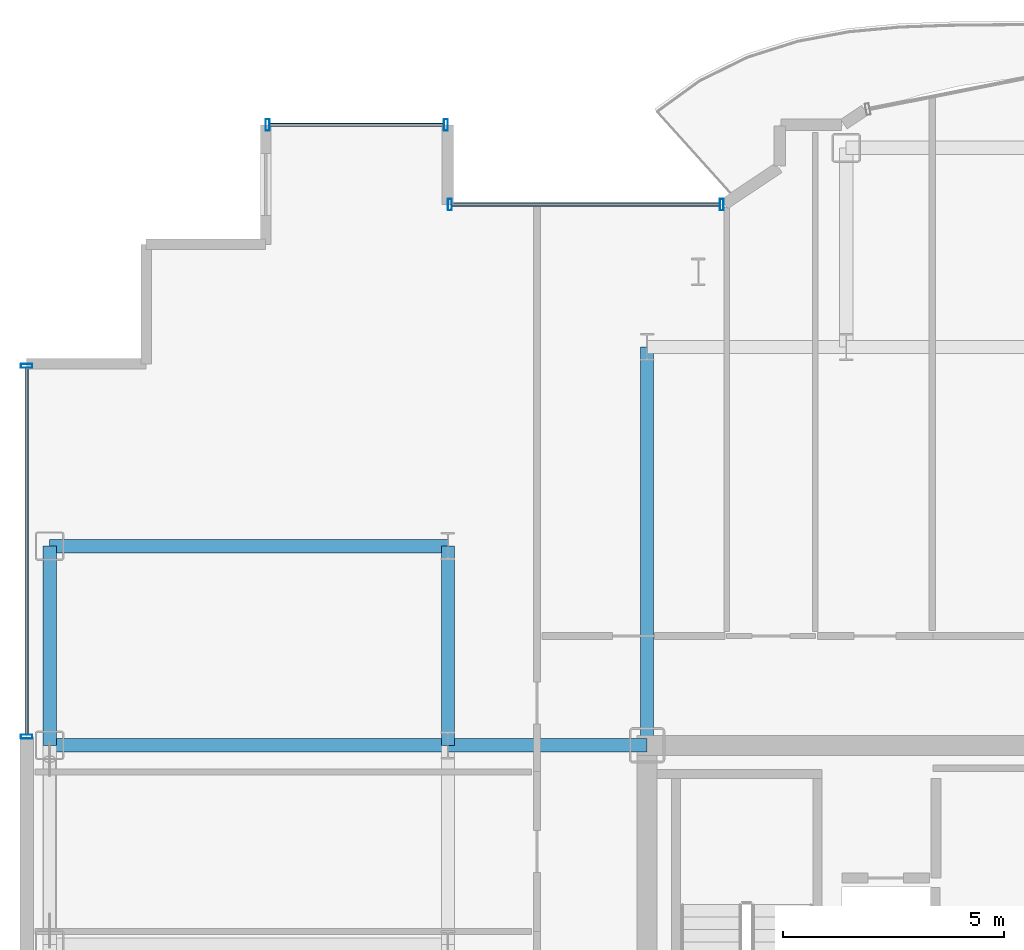
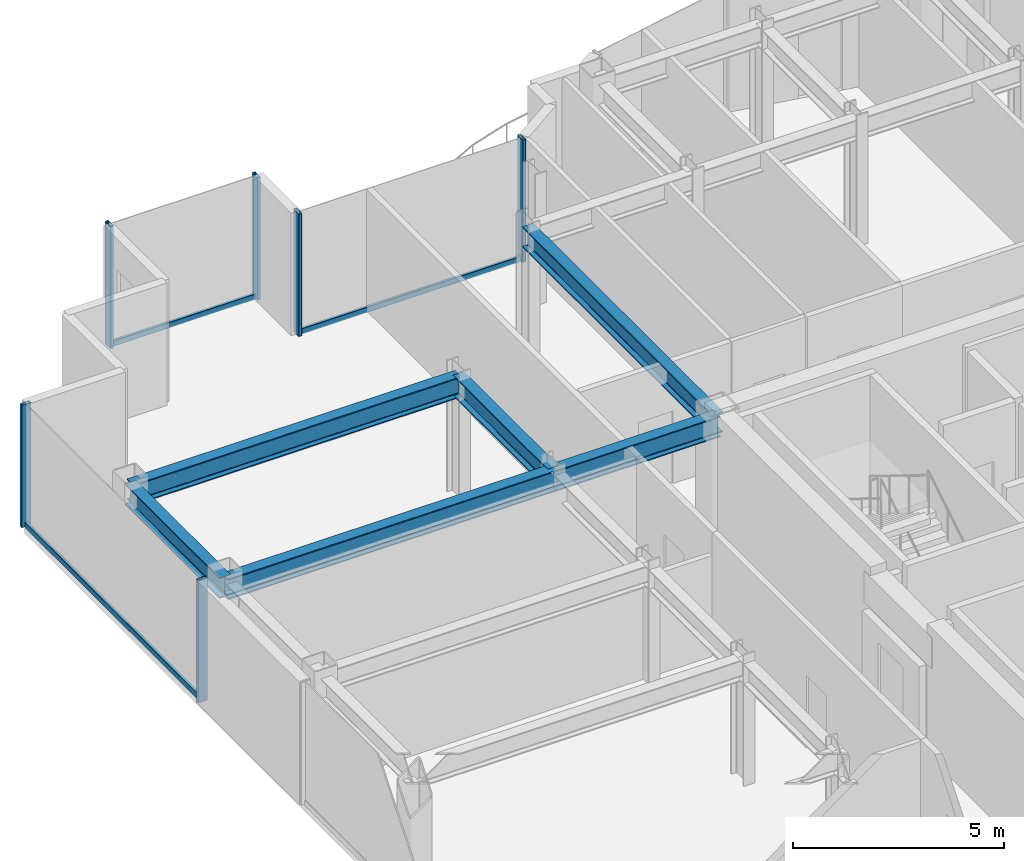
# One storey, part 7 of 16: 9 members, 6 beams, 3 elements without a shape of their own.
"""IFC4 building model written with IfcOpenShell, lengths in metres."""

from ifc_helpers import new_model, si_unit, direction, frame, origin, origin_2d, place, context, subcontext, project, spatial, hollow_rectangle, i_section, extrude, source, transform, mapped, material, layer, layer_set, material_profile, profile_set, type_object, element, aggregate, save


model = new_model("IFC4")

# Units and contexts
model_context = context("Model", 3, precision=1e-05, world=origin(), true_north=direction((0.0, 1.0)))
body_context = subcontext(model_context, "Body", "Model", "MODEL_VIEW")
ifc_project = project(units=[si_unit("LENGTHUNIT", "METRE"), si_unit("AREAUNIT", "SQUARE_METRE"), si_unit("VOLUMEUNIT", "CUBIC_METRE"), si_unit("PLANEANGLEUNIT", "RADIAN"), si_unit("MASSUNIT", "GRAM", prefix="KILO")], contexts=[model_context])

# Site, building, storey
site_placement = place(None, origin())
site = spatial("IfcSite", under=ifc_project, at=site_placement, CompositionType="ELEMENT")
building_placement = place(site_placement, origin())
building = spatial("IfcBuilding", under=site, at=building_placement, Name="Nefas-Gora Pilgrimage Tower", CompositionType="ELEMENT")
storey_placement = place(building_placement, frame((0.0, 0.0, 276.0)))
storey = spatial("IfcBuildingStorey", under=building, at=storey_placement, Name="L69", CompositionType="ELEMENT", Elevation=276.0)

# Beams
ifc_material_1 = material(Name="Steel S355", Category="steel")
ifc_material_profile_1 = material_profile(ifc_material_1, i_section(OverallWidth=0.300048828125, OverallDepth=0.60009765625, WebThickness=0.015380859375, FlangeThickness=0.030029296875, FilletRadius=0.027099609375, at=origin_2d()), Name="HEB 600")
ifc_profile_set_1 = profile_set([ifc_material_profile_1], Name="Steel S355")
beam_type_1 = type_object("IfcBeamType", Name="BM-SPN-HEB450", PredefinedType="SPANDREL", material=ifc_profile_set_1)
shared_shape_1 = source(origin(), body_context, "Body", "SweptSolid", [
    extrude(i_section(OverallWidth=0.300048828125, OverallDepth=0.60009765625, WebThickness=0.015380859375, FlangeThickness=0.030029296875, FilletRadius=0.027099609375, at=origin_2d()), origin(), (0.0, 0.0, 1.0), 4.5),
])
beam_placement = place(storey_placement, frame((-24.75, 9.0, 3.25), z_axis=(0.0, 1.0, 0.0), x_axis=(-1.0, 0.0, 0.0)))
element("IfcBeam", 1, at=beam_placement, inside=storey, type_object=beam_type_1, Name="L69 SP-03 beam", PredefinedType="SPANDREL", context=body_context, shape_type="MappedRepresentation", body=[
    mapped(shared_shape_1, transform((0.0, 0.0, 0.0), x_axis=(1.0, 0.0, 0.0), y_axis=(0.0, 1.0, 0.0), z_axis=(0.0, 0.0, 1.0), scale=1.0)),
])
ifc_material_profile_2 = material_profile(ifc_material_1, i_section(OverallWidth=0.300048828125, OverallDepth=0.60009765625, WebThickness=0.015380859375, FlangeThickness=0.030029296875, FilletRadius=0.027099609375, at=origin_2d()), Name="HEB 600")
ifc_profile_set_2 = profile_set([ifc_material_profile_2], Name="Steel S355")
beam_type_2 = type_object("IfcBeamType", Name="BM-GIR-HEB600", PredefinedType="BEAM", material=ifc_profile_set_2)
shared_shape_2 = source(origin(), body_context, "Body", "SweptSolid", [
    extrude(i_section(OverallWidth=0.300048828125, OverallDepth=0.60009765625, WebThickness=0.015380859375, FlangeThickness=0.030029296875, FilletRadius=0.027099609375, at=origin_2d()), origin(), (0.0, 0.0, 1.0), 9.0),
])
for number, where, z_axis, x_axis, name in (
    (2, (-24.75, 9.0, 3.25), (1.0, 0.0, 0.0), (0.0, 1.0, 0.0), "L69 G-04 beam"),
    (3, (-24.75, 13.5, 3.25), (1.0, 0.0, 0.0), (0.0, 1.0, 0.0), "L69 G-04 beam"),
    (4, (-11.25, 9.0, 3.25), (0.0, 1.0, 0.0), (-1.0, 0.0, 0.0), "L69 G-04 beam"),
):
    element("IfcBeam", number, at=place(storey_placement, frame(where, z_axis=z_axis, x_axis=x_axis)), inside=storey, type_object=beam_type_2, Name=name, PredefinedType="BEAM", context=body_context, shape_type="MappedRepresentation", body=[
        mapped(shared_shape_2, transform((0.0, 0.0, 0.0), x_axis=(1.0, 0.0, 0.0), y_axis=(0.0, 1.0, 0.0), z_axis=(0.0, 0.0, 1.0), scale=1.0)),
    ])
shared_shape_3 = source(origin(), body_context, "Body", "SweptSolid", [
    extrude(i_section(OverallWidth=0.300048828125, OverallDepth=0.60009765625, WebThickness=0.015380859375, FlangeThickness=0.030029296875, FilletRadius=0.027099609375, at=origin_2d()), origin(), (0.0, 0.0, 1.0), 4.5),
])
for number, where, z_axis, x_axis, name in (
    (5, (-15.75, 9.0, 3.25), (0.0, 1.0, 0.0), (-1.0, 0.0, 0.0), "L69 G-04 beam"),
    (6, (-15.75, 9.0, 3.25), (1.0, 0.0, 0.0), (0.0, 1.0, 0.0), "L69 G-04 beam"),
):
    element("IfcBeam", number, at=place(storey_placement, frame(where, z_axis=z_axis, x_axis=x_axis)), inside=storey, type_object=beam_type_2, Name=name, PredefinedType="BEAM", context=body_context, shape_type="MappedRepresentation", body=[
        mapped(shared_shape_3, transform((0.0, 0.0, 0.0), x_axis=(1.0, 0.0, 0.0), y_axis=(0.0, 1.0, 0.0), z_axis=(0.0, 0.0, 1.0), scale=1.0)),
    ])

# Curtain wall, members
ifc_material_2 = material(Name="Dark ceramic-fritted solar-control aluminium-glass curtain wall", Category="aluminium")
ifc_layer_1 = layer(ifc_material_2, 0.219970703125)
ifc_layer_set_1 = layer_set([ifc_layer_1], Name="Dark ceramic-fritted solar-control aluminium-glass curtain wall")
curtain_wall_type_1 = type_object("IfcCurtainWallType", Name="CW-SYS-5", PredefinedType="NOTDEFINED", material=ifc_layer_set_1)
curtain_wall_1_placement = place(storey_placement, origin())
curtain_wall_1 = element("IfcCurtainWall", 7, at=curtain_wall_1_placement, inside=storey, type_object=curtain_wall_type_1, Name="L69 Unitised Curtain Wall CW5", PredefinedType="NOTDEFINED")
ifc_material_3 = material(Name="Anodised architectural aluminium", Category="aluminium")
ifc_material_profile_3 = material_profile(ifc_material_3, hollow_rectangle(XDim=0.090087890625, YDim=0.260009765625, WallThickness=0.006103515625, InnerFilletRadius=0.006103515625, OuterFilletRadius=0.011962890625, at=origin_2d()), Name="ALU MULLION 90x260")
ifc_profile_set_3 = profile_set([ifc_material_profile_3], Name="Anodised architectural aluminium")
member_type_1 = type_object("IfcMemberType", Name="CWM-MUL-5", PredefinedType="MULLION", material=ifc_profile_set_3)
shared_shape_4 = source(origin(), body_context, "Body", "SweptSolid", [
    extrude(hollow_rectangle(XDim=0.090087890625, YDim=0.260009765625, WallThickness=0.006103515625, InnerFilletRadius=0.006103515625, OuterFilletRadius=0.011962890625, at=origin_2d()), origin(), (0.0, 0.0, 1.0), 3.550048828125),
])
member_1_placement = place(storey_placement, frame((-9.56298828125, 21.219970703125, 0.0), z_axis=(0.0, 0.0, 1.0), x_axis=(-1.0, 0.0, 0.0)))
member_1 = element("IfcMember", 8, at=member_1_placement, type_object=member_type_1, Name="CW5 Mullion 1", PredefinedType="MULLION", context=body_context, shape_type="MappedRepresentation", body=[
    mapped(shared_shape_4, transform((0.0, 0.0, 0.0), x_axis=(1.0, 0.0, 0.0), y_axis=(0.0, 1.0, 0.0), z_axis=(0.0, 0.0, 1.0), scale=1.0)),
])
member_2_placement = place(storey_placement, frame((-15.705078125, 21.219970703125, 0.0), z_axis=(0.0, 0.0, 1.0), x_axis=(-1.0, 0.0, 0.0)))
member_2 = element("IfcMember", 9, at=member_2_placement, type_object=member_type_1, Name="CW5 Mullion 2", PredefinedType="MULLION", context=body_context, shape_type="MappedRepresentation", body=[
    mapped(shared_shape_4, transform((0.0, 0.0, 0.0), x_axis=(1.0, 0.0, 0.0), y_axis=(0.0, 1.0, 0.0), z_axis=(0.0, 0.0, 1.0), scale=1.0)),
])
ifc_material_profile_4 = material_profile(ifc_material_3, hollow_rectangle(XDim=0.080078125, YDim=0.159912109375, WallThickness=0.00439453125, InnerFilletRadius=0.00439453125, OuterFilletRadius=0.009033203125, at=origin_2d()), Name="ALU TRANSOM 80x160")
ifc_profile_set_4 = profile_set([ifc_material_profile_4], Name="Anodised architectural aluminium")
member_type_2 = type_object("IfcMemberType", Name="CWM-TRN-5", PredefinedType="USERDEFINED", material=ifc_profile_set_4)
shared_shape_5 = source(origin(), body_context, "Body", "SweptSolid", [
    extrude(hollow_rectangle(XDim=0.080078125, YDim=0.159912109375, WallThickness=0.00439453125, InnerFilletRadius=0.00439453125, OuterFilletRadius=0.009033203125, at=origin_2d()), origin(), (0.0, 0.0, 1.0), 6.052001953125),
])
member_3_placement = place(storey_placement, frame((-9.60791015625, 21.219970703125, 0.050048828125), z_axis=(-1.0, 0.0, 0.0), x_axis=(0.0, -1.0, 0.0)))
member_3 = element("IfcMember", 10, at=member_3_placement, type_object=member_type_2, Name="CW5 Spandrel Transom", ObjectType="TRANSOM", PredefinedType="USERDEFINED", context=body_context, shape_type="MappedRepresentation", body=[
    mapped(shared_shape_5, transform((0.0, 0.0, 0.0), x_axis=(1.0, 0.0, 0.0), y_axis=(0.0, 1.0, 0.0), z_axis=(0.0, 0.0, 1.0), scale=1.0)),
])
aggregate(curtain_wall_1, [member_1, member_2, member_3])

# Curtain wall, member
ifc_layer_2 = layer(ifc_material_2, 0.219970703125)
ifc_layer_set_2 = layer_set([ifc_layer_2], Name="Dark ceramic-fritted solar-control aluminium-glass curtain wall")
curtain_wall_type_2 = type_object("IfcCurtainWallType", Name="CW-SYS-4", PredefinedType="NOTDEFINED", material=ifc_layer_set_2)
curtain_wall_2_placement = place(storey_placement, origin())
curtain_wall_2 = element("IfcCurtainWall", 11, at=curtain_wall_2_placement, inside=storey, type_object=curtain_wall_type_2, Name="L69 Unitised Curtain Wall CW4", PredefinedType="NOTDEFINED")
ifc_material_profile_5 = material_profile(ifc_material_3, hollow_rectangle(XDim=0.080078125, YDim=0.159912109375, WallThickness=0.00439453125, InnerFilletRadius=0.00439453125, OuterFilletRadius=0.009033203125, at=origin_2d()), Name="ALU TRANSOM 80x160")
ifc_profile_set_5 = profile_set([ifc_material_profile_5], Name="Anodised architectural aluminium")
member_type_3 = type_object("IfcMemberType", Name="CWM-TRN-4", PredefinedType="USERDEFINED", material=ifc_profile_set_5)
shared_shape_6 = source(origin(), body_context, "Body", "SweptSolid", [
    extrude(hollow_rectangle(XDim=0.080078125, YDim=0.159912109375, WallThickness=0.00439453125, InnerFilletRadius=0.00439453125, OuterFilletRadius=0.009033203125, at=origin_2d()), origin(), (0.0, 0.0, 1.0), 8.2900390625),
])
member_4_placement = place(storey_placement, frame((-25.27001953125, 17.530029296875, 0.050048828125), z_axis=(0.0, -1.0, 0.0), x_axis=(1.0, 0.0, 0.0)))
member_4 = element("IfcMember", 12, at=member_4_placement, type_object=member_type_3, Name="CW4 Spandrel Transom", ObjectType="TRANSOM", PredefinedType="USERDEFINED", context=body_context, shape_type="MappedRepresentation", body=[
    mapped(shared_shape_6, transform((0.0, 0.0, 0.0), x_axis=(1.0, 0.0, 0.0), y_axis=(0.0, 1.0, 0.0), z_axis=(0.0, 0.0, 1.0), scale=1.0)),
])

# Curtain wall, members
curtain_wall_3_placement = place(storey_placement, origin())
curtain_wall_3 = element("IfcCurtainWall", 13, at=curtain_wall_3_placement, inside=storey, type_object=curtain_wall_type_2, Name="L69 Unitised Curtain Wall CW4", PredefinedType="NOTDEFINED")
shared_shape_7 = source(origin(), body_context, "Body", "SweptSolid", [
    extrude(hollow_rectangle(XDim=0.080078125, YDim=0.159912109375, WallThickness=0.00439453125, InnerFilletRadius=0.00439453125, OuterFilletRadius=0.009033203125, at=origin_2d()), origin(), (0.0, 0.0, 1.0), 3.93994140625),
])
member_5_placement = place(storey_placement, frame((-15.840087890625, 23.02001953125, 0.050048828125), z_axis=(-1.0, 0.0, 0.0), x_axis=(0.0, -1.0, 0.0)))
member_5 = element("IfcMember", 14, at=member_5_placement, type_object=member_type_3, Name="CW4 Spandrel Transom", ObjectType="TRANSOM", PredefinedType="USERDEFINED", context=body_context, shape_type="MappedRepresentation", body=[
    mapped(shared_shape_7, transform((0.0, 0.0, 0.0), x_axis=(1.0, 0.0, 0.0), y_axis=(0.0, 1.0, 0.0), z_axis=(0.0, 0.0, 1.0), scale=1.0)),
])
ifc_material_profile_6 = material_profile(ifc_material_3, hollow_rectangle(XDim=0.090087890625, YDim=0.260009765625, WallThickness=0.006103515625, InnerFilletRadius=0.006103515625, OuterFilletRadius=0.011962890625, at=origin_2d()), Name="ALU MULLION 90x260")
ifc_profile_set_6 = profile_set([ifc_material_profile_6], Name="Anodised architectural aluminium")
member_type_4 = type_object("IfcMemberType", Name="CWM-MUL-4", PredefinedType="MULLION", material=ifc_profile_set_6)
shared_shape_8 = source(origin(), body_context, "Body", "SweptSolid", [
    extrude(hollow_rectangle(XDim=0.090087890625, YDim=0.260009765625, WallThickness=0.006103515625, InnerFilletRadius=0.006103515625, OuterFilletRadius=0.011962890625, at=origin_2d()), origin(), (0.0, 0.0, 1.0), 3.550048828125),
])
member_6_placement = place(storey_placement, frame((-15.794921875, 23.02001953125, 0.0), z_axis=(0.0, 0.0, 1.0), x_axis=(-1.0, 0.0, 0.0)))
member_6 = element("IfcMember", 15, at=member_6_placement, type_object=member_type_4, Name="CW4 Mullion 1", PredefinedType="MULLION", context=body_context, shape_type="MappedRepresentation", body=[
    mapped(shared_shape_8, transform((0.0, 0.0, 0.0), x_axis=(1.0, 0.0, 0.0), y_axis=(0.0, 1.0, 0.0), z_axis=(0.0, 0.0, 1.0), scale=1.0)),
])
member_7_placement = place(storey_placement, frame((-19.824951171875, 23.02001953125, 0.0), z_axis=(0.0, 0.0, 1.0), x_axis=(-1.0, 0.0, 0.0)))
member_7 = element("IfcMember", 16, at=member_7_placement, type_object=member_type_4, Name="CW4 Mullion 2", PredefinedType="MULLION", context=body_context, shape_type="MappedRepresentation", body=[
    mapped(shared_shape_8, transform((0.0, 0.0, 0.0), x_axis=(1.0, 0.0, 0.0), y_axis=(0.0, 1.0, 0.0), z_axis=(0.0, 0.0, 1.0), scale=1.0)),
])
aggregate(curtain_wall_3, [member_6, member_7, member_5])

# Member
member_8_placement = place(storey_placement, frame((-25.27001953125, 17.574951171875, 0.0), z_axis=(0.0, 0.0, 1.0), x_axis=(0.0, -1.0, 0.0)))
member_8 = element("IfcMember", 17, at=member_8_placement, type_object=member_type_4, Name="CW4 Mullion 1", PredefinedType="MULLION", context=body_context, shape_type="MappedRepresentation", body=[
    mapped(shared_shape_8, transform((0.0, 0.0, 0.0), x_axis=(1.0, 0.0, 0.0), y_axis=(0.0, 1.0, 0.0), z_axis=(0.0, 0.0, 1.0), scale=1.0)),
])

member_9_placement = place(storey_placement, frame((-25.27001953125, 9.195068359375, 0.0), z_axis=(0.0, 0.0, 1.0), x_axis=(0.0, -1.0, 0.0)))
member_9 = element("IfcMember", 18, at=member_9_placement, type_object=member_type_4, Name="CW4 Mullion 2", PredefinedType="MULLION", context=body_context, shape_type="MappedRepresentation", body=[
    mapped(shared_shape_8, transform((0.0, 0.0, 0.0), x_axis=(1.0, 0.0, 0.0), y_axis=(0.0, 1.0, 0.0), z_axis=(0.0, 0.0, 1.0), scale=1.0)),
])

aggregate(curtain_wall_2, [member_8, member_9, member_4])

save(model, "model.ifc")
